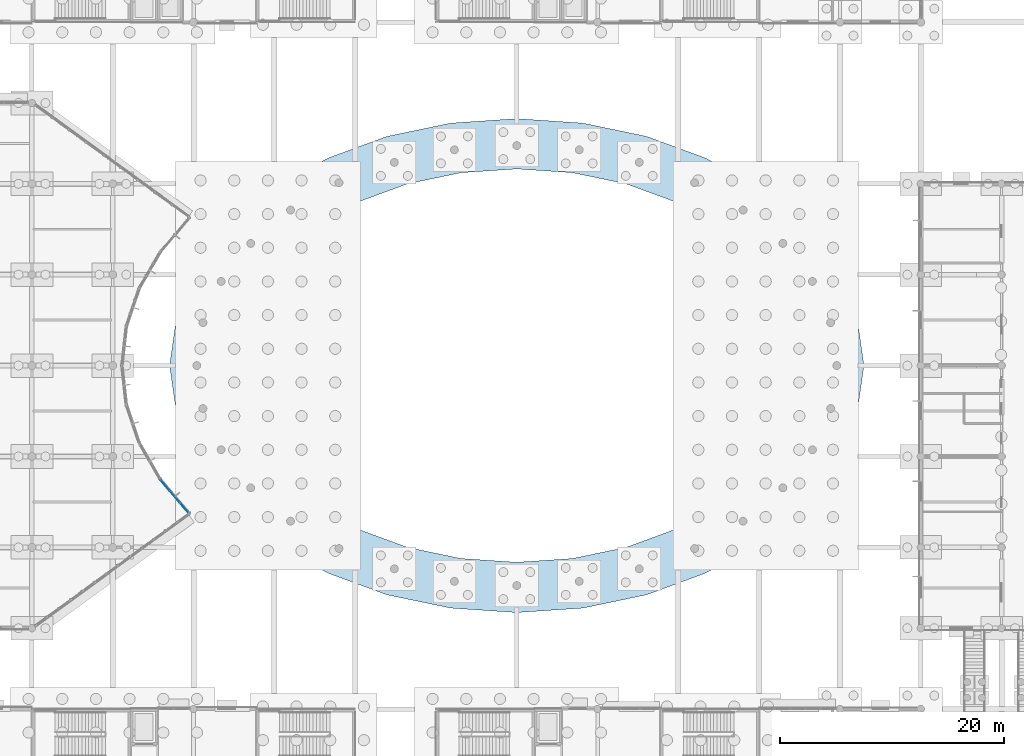
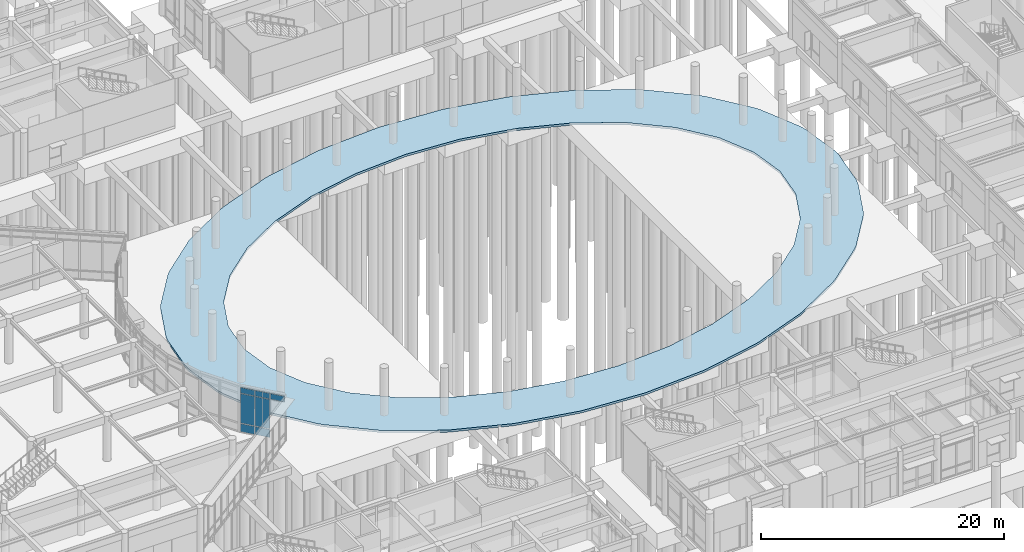
# One storey, part 45 of 103: 7 plates, 1 slab, 1 element without a shape of its own.
"""IFC4 building model written with IfcOpenShell, lengths in metres."""

import ifcopenshell
import ifcopenshell.guid

model = None  # the IFC model being written
_history = None  # IfcOwnerHistory: only IFC2X3 demands one
_inside = {}  # id of a spatial element -> (the spatial element, [elements in it])
_under = {}  # id of a project, library or spatial element -> (it, [spatial elements below it])
_declared = {}  # id of a project -> (the project, [libraries it declares])
_typed = {}  # id of a type object -> (the type object, [elements of that type])
_made_of = {}  # id of a material, layer set ... -> (it, [elements and type objects made of it])


def new_model(schema):
    """Start an empty IFC model of exactly this schema.

    Asked for "IFC4X3", IfcOpenShell would pick the latest addendum, in which some entities
    have other attributes; the version numbers below select the first issue.
    IFC2X3 requires an IfcOwnerHistory on every rooted entity: one is made here for all.
    """
    global model, _history
    if schema == "IFC4X3":
        model = ifcopenshell.file(schema_version=(4, 3, 0, 0))
    else:
        model = ifcopenshell.file(schema=schema)
    _inside.clear()
    _under.clear()
    _declared.clear()
    _typed.clear()
    _made_of.clear()
    _history = None
    if model.schema == "IFC2X3":
        org = make("IfcOrganization", Name="unknown")
        user = make(
            "IfcPersonAndOrganization",
            ThePerson=make("IfcPerson", FamilyName="unknown"),
            TheOrganization=org,
        )
        app = make(
            "IfcApplication",
            ApplicationDeveloper=org,
            Version="unknown",
            ApplicationFullName="unknown",
            ApplicationIdentifier="unknown",
        )
        _history = make(
            "IfcOwnerHistory",
            OwningUser=user,
            OwningApplication=app,
            ChangeAction="ADDED",
            CreationDate=0,
        )
    return model


def make(cls, **values):
    """One entity of the class cls with the attributes given. An attribute that is None is left unset."""
    return model.create_entity(
        cls, **{name: value for name, value in values.items() if value is not None}
    )


def rooted(cls, **values):
    """An entity with a GlobalId (a new one), such as an element, a storey or a relation."""
    return make(cls, GlobalId=ifcopenshell.guid.new(), OwnerHistory=_history, **values)


def si_unit(unit_type, name, prefix=None):
    """IfcSIUnit, for example si_unit("LENGTHUNIT", "METRE", prefix="MILLI")."""
    return make("IfcSIUnit", UnitType=unit_type, Prefix=prefix, Name=name)


def assignment(units):
    """IfcUnitAssignment: the units of a project."""
    return None if units is None else make("IfcUnitAssignment", Units=units)


def point(xyz):
    """IfcCartesianPoint."""
    return None if xyz is None else make("IfcCartesianPoint", Coordinates=xyz)


def direction(xyz):
    """IfcDirection."""
    return None if xyz is None else make("IfcDirection", DirectionRatios=xyz)


def frame(location, z_axis=None, x_axis=None):
    """IfcAxis2Placement3D, a coordinate frame: its origin and axes. An axis left out is left unset."""
    return make(
        "IfcAxis2Placement3D",
        Location=point(location),
        Axis=direction(z_axis),
        RefDirection=direction(x_axis),
    )


def frame_2d(location, x_axis=None):
    """IfcAxis2Placement2D, a coordinate frame in the plane: its origin and x axis."""
    return make(
        "IfcAxis2Placement2D", Location=point(location), RefDirection=direction(x_axis)
    )


def origin():
    """The frame at (0, 0, 0) with its axes left unset."""
    return frame((0.0, 0.0, 0.0))


def origin_2d():
    """The frame at (0, 0) in the plane with its x axis left unset."""
    return frame_2d((0.0, 0.0))


def place(relative_to, where):
    """IfcLocalPlacement: puts the frame where relative to a parent placement (None: the world)."""
    return make(
        "IfcLocalPlacement", PlacementRelTo=relative_to, RelativePlacement=where
    )


def context(
    kind, dimensions, precision=None, world=None, true_north=None, identifier=None
):
    """IfcGeometricRepresentationContext, for example the 3D "Model" context."""
    return make(
        "IfcGeometricRepresentationContext",
        ContextIdentifier=identifier,
        ContextType=kind,
        CoordinateSpaceDimension=dimensions,
        Precision=precision,
        WorldCoordinateSystem=world,
        TrueNorth=true_north,
    )


def subcontext(parent, identifier, kind, view, scale=None):
    """IfcGeometricRepresentationSubContext, for example "Body" below "Model"."""
    return make(
        "IfcGeometricRepresentationSubContext",
        ContextIdentifier=identifier,
        ContextType=kind,
        ParentContext=parent,
        TargetScale=scale,
        TargetView=view,
    )


def project(units=None, contexts=None):
    """IfcProject with its units and contexts."""
    return rooted(
        "IfcProject",
        Name="project",
        RepresentationContexts=contexts,
        UnitsInContext=assignment(units),
    )


def spatial(cls, under=None, at=None, **own):
    """A site, building, storey or space (cls), placed at a placement, below another one or the project."""
    s = rooted(cls, ObjectPlacement=at, **own)
    if under is not None:
        _under.setdefault(under.id(), (under, []))[1].append(s)
    return s


def polyline(points):
    """IfcPolyline through the points."""
    return make("IfcPolyline", Points=[point(p) for p in points])


def profile(cls, at=None, kind="AREA", **sizes):
    """A parametric profile (cls). Its sizes go by their IFC names, for example OverallWidth=200.0."""
    return make(cls, ProfileType=kind, Position=at, **sizes)


def rectangle(**sizes):
    """IfcRectangleProfileDef."""
    return profile("IfcRectangleProfileDef", **sizes)


def outline(outer, holes=None, kind="AREA"):
    """IfcArbitraryClosedProfileDef: a profile drawn as a closed curve; with holes, ...WithVoids."""
    if holes is None:
        return make("IfcArbitraryClosedProfileDef", ProfileType=kind, OuterCurve=outer)
    return make(
        "IfcArbitraryProfileDefWithVoids",
        ProfileType=kind,
        OuterCurve=outer,
        InnerCurves=holes,
    )


def extrude(swept, where, along, depth):
    """IfcExtrudedAreaSolid: the profile swept, set in the frame where, extruded along a direction by depth."""
    return make(
        "IfcExtrudedAreaSolid",
        SweptArea=swept,
        Position=where,
        ExtrudedDirection=direction(along),
        Depth=depth,
    )


def shape(context_of_items, identifier, shape_type, items):
    """IfcShapeRepresentation: the items that make up one representation, for example the "Body"."""
    return make(
        "IfcShapeRepresentation",
        ContextOfItems=context_of_items,
        RepresentationIdentifier=identifier,
        RepresentationType=shape_type,
        Items=items,
    )


def material(Name=None, Category=None):
    """IfcMaterial."""
    return make("IfcMaterial", Name=Name, Category=Category)


def layer(
    of_material, thickness, ventilated=None, Name=None, Category=None, Priority=None
):
    """IfcMaterialLayer: one layer of a wall or slab, of a material (None: an air gap)."""
    return make(
        "IfcMaterialLayer",
        Material=of_material,
        LayerThickness=thickness,
        IsVentilated=ventilated,
        Name=Name,
        Category=Category,
        Priority=Priority,
    )


def layer_set(layers, Name=None):
    """IfcMaterialLayerSet."""
    return make("IfcMaterialLayerSet", MaterialLayers=layers, LayerSetName=Name)


def made_of(thing, what):
    """Note that an element or type object is made of a material, layer set ...; save() writes the relation."""
    if what is not None:
        _made_of.setdefault(what.id(), (what, []))[1].append(thing)
    return thing


def type_object(cls, material=None, **own):
    """A type object (cls), such as IfcWallType, which elements share."""
    return made_of(rooted(cls, **own), material)


def element(
    cls,
    number,
    at=None,
    inside=None,
    cuts=None,
    type_object=None,
    material=None,
    context=None,
    identifier="Body",
    shape_type=None,
    held_by="IfcProductDefinitionShape",
    body=None,
    shapes=None,
    **own,
):
    """One element of the class cls, such as IfcWall. Its Tag is "e" and its number.

    at: its placement. inside: the storey or other place that contains it. cuts: it is an
    opening in that element (IfcRelVoidsElement). A single representation is given by context,
    identifier, shape_type and body (its items); several are given by shapes. held_by: the class
    of the entity that holds the representations. save() writes the other relations.
    """
    e = rooted(cls, Tag="e%d" % number, ObjectPlacement=at, **own)
    if body is not None:
        shapes = [shape(context, identifier, shape_type, body)]
    if shapes is not None:
        e.Representation = make(held_by, Representations=shapes)
    if inside is not None:
        _inside.setdefault(inside.id(), (inside, []))[1].append(e)
    if cuts is not None:
        rooted(
            "IfcRelVoidsElement", RelatingBuildingElement=cuts, RelatedOpeningElement=e
        )
    if type_object is not None:
        _typed.setdefault(type_object.id(), (type_object, []))[1].append(e)
    return made_of(e, material)


def aggregate(whole, parts):
    """IfcRelAggregates: a whole, such as a stair, and the parts it consists of."""
    return rooted("IfcRelAggregates", RelatingObject=whole, RelatedObjects=parts)


def save(model, path):
    """Write the relations noted so far, then the file.

    IfcRelAggregates (storeys below a building ...), IfcRelContainedInSpatialStructure (elements
    in a storey), IfcRelDefinesByType, IfcRelAssociatesMaterial and IfcRelDeclares: one each for
    every whole, place, type object, material and project.
    """
    for whole, parts in _under.values():
        aggregate(whole, parts)
    for where, things in _inside.values():
        rooted(
            "IfcRelContainedInSpatialStructure",
            RelatedElements=things,
            RelatingStructure=where,
        )
    for kind, things in _typed.values():
        rooted("IfcRelDefinesByType", RelatedObjects=things, RelatingType=kind)
    for what, things in _made_of.values():
        rooted("IfcRelAssociatesMaterial", RelatedObjects=things, RelatingMaterial=what)
    for by, libraries in _declared.values():
        rooted("IfcRelDeclares", RelatingContext=by, RelatedDefinitions=libraries)
    model.write(path)


model = new_model("IFC4")

# Units and contexts
model_context = context("Model", 3, precision=1e-05, world=origin(), true_north=direction((0.0, 1.0)))
body_context = subcontext(model_context, "Body", "Model", "MODEL_VIEW")
ifc_project = project(units=[si_unit("LENGTHUNIT", "METRE"), si_unit("AREAUNIT", "SQUARE_METRE"), si_unit("VOLUMEUNIT", "CUBIC_METRE"), si_unit("PLANEANGLEUNIT", "RADIAN"), si_unit("MASSUNIT", "GRAM", prefix="KILO")], contexts=[model_context])

# Site, building, storey
site_placement = place(None, origin())
site = spatial("IfcSite", under=ifc_project, at=site_placement, CompositionType="ELEMENT")
building_placement = place(site_placement, origin())
building = spatial("IfcBuilding", under=site, at=building_placement, Name="Namkhue Oval Health Centre", CompositionType="ELEMENT")
storey_placement = place(building_placement, origin())
storey = spatial("IfcBuildingStorey", under=building, at=storey_placement, Name="L00", CompositionType="ELEMENT", Elevation=0.0)

# Slab
ifc_material_1 = material(Name="Reinforced concrete C30/37 (TCVN B35)", Category="concrete")
ifc_layer_1 = layer(ifc_material_1, 0.219970703125)
ifc_layer_set_1 = layer_set([ifc_layer_1], Name="Reinforced concrete C30/37 (TCVN B35)")
slab_type = type_object("IfcSlabType", Name="COLONNADE DECK SLAB 220", PredefinedType="FLOOR", material=ifc_layer_set_1)
slab_placement = place(storey_placement, frame((0.0, 0.0, -0.219970703125)))
element("IfcSlab", 1, at=slab_placement, inside=storey, type_object=slab_type, Name="Oval Light Court Covered Colonnade Deck", PredefinedType="FLOOR", context=body_context, shape_type="SweptSolid", body=[
    extrude(outline(polyline([(122.502197265625, 43.699462890625), (122.140380859375, 43.448974609375), (117.81982421875, 41.01123046875), (117.46826171875, 40.848876953125), (112.538818359375, 39.037353515625), (112.200927734375, 38.940673828125), (106.852294921875, 37.8251953125), (106.524658203125, 37.780029296875), (100.962158203125, 37.403564453125), (100.637939453125, 37.403564453125), (95.075439453125, 37.780029296875), (94.74755859375, 37.8251953125), (89.39892578125, 38.940673828125), (89.06103515625, 39.037353515625), (84.1318359375, 40.848876953125), (83.7802734375, 41.01123046875), (79.459716796875, 43.448974609375), (79.097900390625, 43.699462890625), (75.552001953125, 46.669921875), (75.198486328125, 47.03662109375), (72.563720703125, 50.425537109375), (72.2626953125, 50.9296875), (70.64013671875, 54.60693359375), (70.460205078125, 55.235595703125), (69.912353515625, 59.059814453125), (69.912353515625, 59.740234375), (70.460205078125, 63.564453125), (70.64013671875, 64.193115234375), (72.2626953125, 67.8701171875), (72.563720703125, 68.37451171875), (75.198486328125, 71.763427734375), (75.552001953125, 72.1298828125), (79.097900390625, 75.1005859375), (79.459716796875, 75.35107421875), (83.7802734375, 77.788818359375), (84.1318359375, 77.951171875), (89.06103515625, 79.7626953125), (89.39892578125, 79.859375), (94.74755859375, 80.974853515625), (95.075439453125, 81.02001953125), (100.637939453125, 81.396484375), (100.962158203125, 81.396484375), (106.524658203125, 81.02001953125), (106.852294921875, 80.974853515625), (112.200927734375, 79.859375), (112.538818359375, 79.7626953125), (117.46826171875, 77.951171875), (117.81982421875, 77.788818359375), (122.140380859375, 75.35107421875), (122.502197265625, 75.1005859375), (126.048095703125, 72.1298828125), (126.401611328125, 71.763427734375), (129.036376953125, 68.37451171875), (129.33740234375, 67.8701171875), (130.9599609375, 64.193115234375), (131.139892578125, 63.564453125), (131.687744140625, 59.740234375), (131.687744140625, 59.059814453125), (131.139892578125, 55.235595703125), (130.9599609375, 54.60693359375), (129.33740234375, 50.9296875), (129.036376953125, 50.425537109375), (126.401611328125, 47.03662109375), (126.048095703125, 46.669921875), (122.502197265625, 43.699462890625)]), holes=[polyline([(105.7724609375, 76.586181640625), (100.800048828125, 76.923095703125), (95.827392578125, 76.586181640625), (91.046142578125, 75.589111328125), (86.6396484375, 73.9697265625), (82.77734375, 71.79052734375), (79.607421875, 69.13525390625), (77.252197265625, 66.105712890625), (75.8017578125, 62.818603515625), (75.31201171875, 59.39990234375), (75.8017578125, 55.9814453125), (77.252197265625, 52.694091796875), (79.607421875, 49.664794921875), (82.77734375, 47.009521484375), (86.6396484375, 44.830078125), (91.046142578125, 43.2109375), (95.827392578125, 42.213623046875), (100.800048828125, 41.876953125), (105.7724609375, 42.213623046875), (110.5537109375, 43.2109375), (114.96044921875, 44.830078125), (118.82275390625, 47.009521484375), (121.992431640625, 49.664794921875), (124.347900390625, 52.694091796875), (125.79833984375, 55.9814453125), (126.2880859375, 59.39990234375), (125.79833984375, 62.818603515625), (124.347900390625, 66.105712890625), (121.992431640625, 69.13525390625), (118.82275390625, 71.79052734375), (114.96044921875, 73.9697265625), (110.5537109375, 75.589111328125), (105.7724609375, 76.586181640625)])]), origin(), (0.0, 0.0, 1.0), 0.219970703125),
])

# Curtain wall, plates
ifc_material_2 = material(Name="Anodised aluminium EN AW-6063 T6", Category="aluminium")
ifc_layer_2 = layer(ifc_material_2, 0.159912109375)
ifc_layer_set_2 = layer_set([ifc_layer_2], Name="Anodised aluminium EN AW-6063 T6")
curtain_wall_type = type_object("IfcCurtainWallType", Name="UNITISED CURTAIN WALL M1500", PredefinedType="NOTDEFINED", material=ifc_layer_set_2)
curtain_wall_placement = place(storey_placement, origin())
curtain_wall = element("IfcCurtainWall", 2, at=curtain_wall_placement, inside=storey, type_object=curtain_wall_type, Name="Volume V1 L00 Unitised Curtain Wall 3", PredefinedType="NOTDEFINED")
ifc_material_3 = material(Name="Insulated anodised aluminium spandrel panel", Category="aluminium")
ifc_layer_3 = layer(ifc_material_3, 0.031982421875)
ifc_layer_set_3 = layer_set([ifc_layer_3], Name="Insulated anodised aluminium spandrel panel")
plate_type = type_object("IfcPlateType", Name="CURTAIN WALL SPANDREL PANEL 32", PredefinedType="CURTAIN_PANEL", material=ifc_layer_set_3)
plate_1_placement = place(storey_placement, frame((71.176025390625, 46.721435546875, 3.947265625), z_axis=(0.0, 0.0, 1.0), x_axis=(-0.648746071067, 0.761004950887, 0.0)))
plate_1 = element("IfcPlate", 3, at=plate_1_placement, type_object=plate_type, Name="CW-03 panel 1.3", PredefinedType="CURTAIN_PANEL", context=body_context, shape_type="SweptSolid", body=[
    extrude(rectangle(XDim=1.232666015625, YDim=0.031982421875, at=origin_2d()), origin(), (0.0, 0.0, 1.0), 0.552490234375),
])
plate_2_placement = place(storey_placement, frame((70.323486328125, 47.721435546875, 0.06494140625), z_axis=(0.0, 0.0, 1.0), x_axis=(-0.648746071067, 0.761004950887, 0.0)))
plate_2 = element("IfcPlate", 4, at=plate_2_placement, type_object=plate_type, Name="CW-03 panel 2.1", PredefinedType="CURTAIN_PANEL", context=body_context, shape_type="SweptSolid", body=[
    extrude(rectangle(XDim=1.26513671875, YDim=0.031982421875, at=origin_2d()), origin(), (0.0, 0.0, 1.0), 0.802490234375),
])
plate_3_placement = place(storey_placement, frame((70.323486328125, 47.721435546875, 0.9326171875), z_axis=(0.0, 0.0, 1.0), x_axis=(-0.648746071067, 0.761004950887, 0.0)))
plate_3 = element("IfcPlate", 5, at=plate_3_placement, type_object=plate_type, Name="CW-03 panel 2.2", PredefinedType="CURTAIN_PANEL", context=body_context, shape_type="SweptSolid", body=[
    extrude(rectangle(XDim=1.26513671875, YDim=0.031982421875, at=origin_2d()), origin(), (0.0, 0.0, 1.0), 2.949951171875),
])
plate_4_placement = place(storey_placement, frame((70.323486328125, 47.721435546875, 3.947265625), z_axis=(0.0, 0.0, 1.0), x_axis=(-0.648746071067, 0.761004950887, 0.0)))
plate_4 = element("IfcPlate", 6, at=plate_4_placement, type_object=plate_type, Name="CW-03 panel 2.3", PredefinedType="CURTAIN_PANEL", context=body_context, shape_type="SweptSolid", body=[
    extrude(rectangle(XDim=1.26513671875, YDim=0.031982421875, at=origin_2d()), origin(), (0.0, 0.0, 1.0), 0.552490234375),
])
plate_5_placement = place(storey_placement, frame((69.470947265625, 48.721435546875, 0.06494140625), z_axis=(0.0, 0.0, 1.0), x_axis=(-0.648746071067, 0.761004950887, 0.0)))
plate_5 = element("IfcPlate", 7, at=plate_5_placement, type_object=plate_type, Name="CW-03 panel 3.1", PredefinedType="CURTAIN_PANEL", context=body_context, shape_type="SweptSolid", body=[
    extrude(rectangle(XDim=1.232666015625, YDim=0.031982421875, at=origin_2d()), origin(), (0.0, 0.0, 1.0), 0.802490234375),
])
plate_6_placement = place(storey_placement, frame((69.470947265625, 48.721435546875, 0.9326171875), z_axis=(0.0, 0.0, 1.0), x_axis=(-0.648746071067, 0.761004950887, 0.0)))
plate_6 = element("IfcPlate", 8, at=plate_6_placement, type_object=plate_type, Name="CW-03 panel 3.2", PredefinedType="CURTAIN_PANEL", context=body_context, shape_type="SweptSolid", body=[
    extrude(rectangle(XDim=1.232666015625, YDim=0.031982421875, at=origin_2d()), origin(), (0.0, 0.0, 1.0), 2.949951171875),
])
plate_7_placement = place(storey_placement, frame((69.470947265625, 48.721435546875, 3.947265625), z_axis=(0.0, 0.0, 1.0), x_axis=(-0.648746071067, 0.761004950887, 0.0)))
plate_7 = element("IfcPlate", 9, at=plate_7_placement, type_object=plate_type, Name="CW-03 panel 3.3", PredefinedType="CURTAIN_PANEL", context=body_context, shape_type="SweptSolid", body=[
    extrude(rectangle(XDim=1.232666015625, YDim=0.031982421875, at=origin_2d()), origin(), (0.0, 0.0, 1.0), 0.552490234375),
])
aggregate(curtain_wall, [plate_1, plate_2, plate_3, plate_4, plate_5, plate_6, plate_7])

save(model, "model.ifc")
